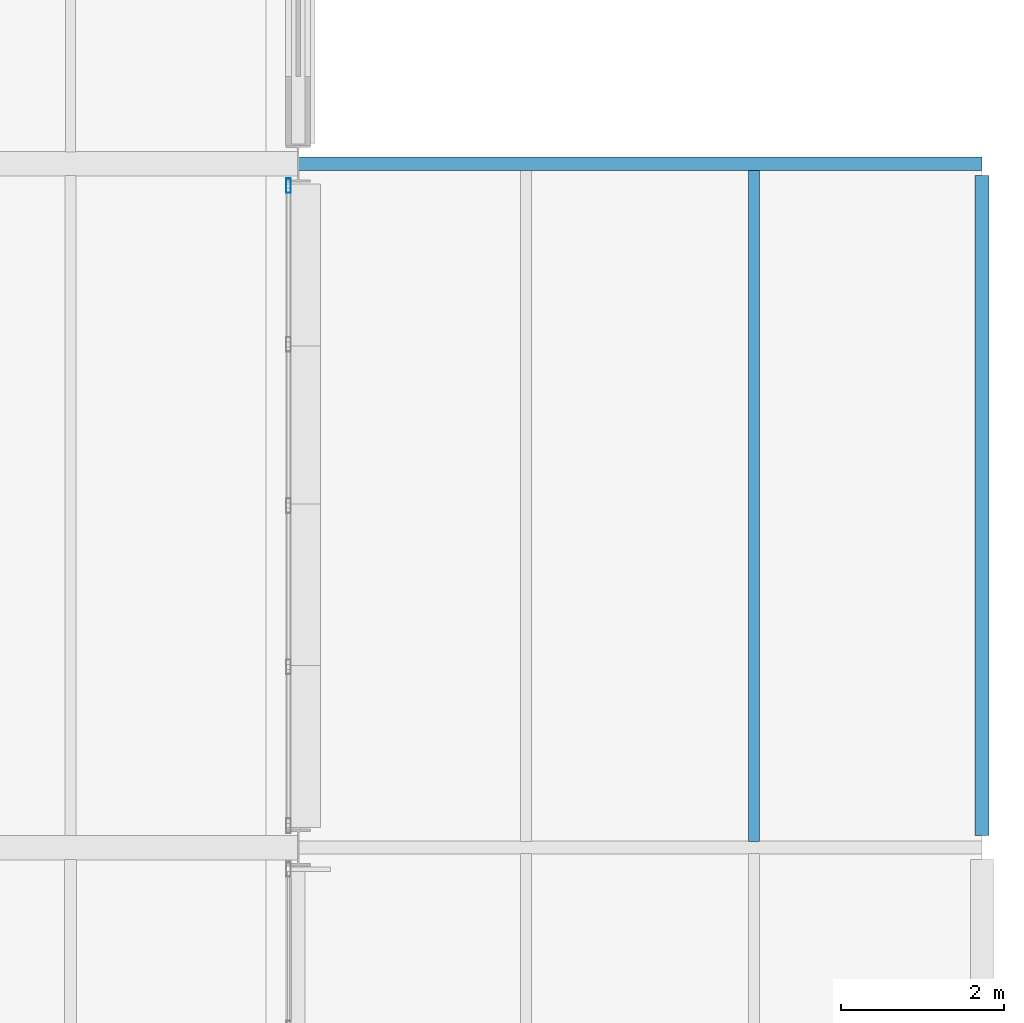
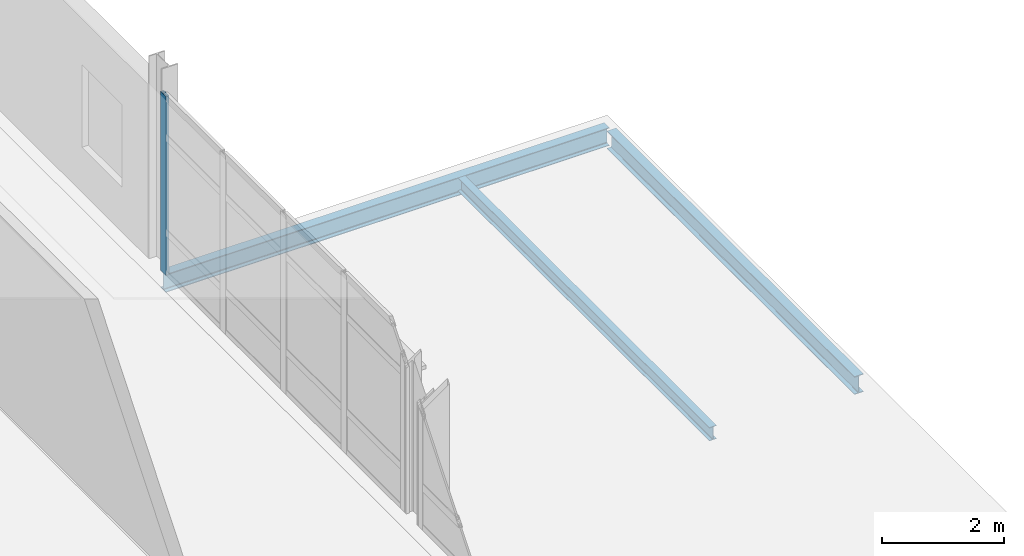
# One storey, part 99 of 151: 3 beams, 1 member, 1 element without a shape of its own.
"""IFC4 building model written with IfcOpenShell, lengths in metres."""

from ifc_helpers import new_model, si_unit, direction, frame, origin, origin_2d, place, context, subcontext, project, spatial, hollow_rectangle, i_section, extrude, material, material_profile, profile_set, type_object, element, aggregate, save


model = new_model("IFC4")

# Units and contexts
model_context = context("Model", 3, precision=1e-05, world=origin(), true_north=direction((0.0, 1.0)))
body_context = subcontext(model_context, "Body", "Model", "MODEL_VIEW")
ifc_project = project(units=[si_unit("LENGTHUNIT", "METRE"), si_unit("AREAUNIT", "SQUARE_METRE"), si_unit("VOLUMEUNIT", "CUBIC_METRE"), si_unit("PLANEANGLEUNIT", "RADIAN"), si_unit("MASSUNIT", "GRAM", prefix="KILO")], contexts=[model_context])

# Site, building, storey
site_placement = place(None, origin())
site = spatial("IfcSite", under=ifc_project, at=site_placement, CompositionType="ELEMENT")
building_placement = place(site_placement, origin())
building = spatial("IfcBuilding", under=site, at=building_placement, Name="Mersafa Astral City Hall", CompositionType="ELEMENT")
storey_placement = place(building_placement, frame((0.0, 0.0, 9.89990234375)))
storey = spatial("IfcBuildingStorey", under=building, at=storey_placement, Name="L02", CompositionType="ELEMENT", Elevation=9.89990234375)

# Curtain wall, member
ifc_material_1 = material(Name="Anodised bronze aluminium framing", Category="aluminium")
curtain_wall_type = type_object("IfcCurtainWallType", Name="ENV-CW-6", PredefinedType="USERDEFINED", material=ifc_material_1)
curtain_wall_placement = place(storey_placement, origin())
curtain_wall = element("IfcCurtainWall", 1, at=curtain_wall_placement, inside=storey, type_object=curtain_wall_type, Name="L02 Unitised solar curtain wall 125", ObjectType="UNITISED CURTAIN WALL", PredefinedType="USERDEFINED")
ifc_material_profile_1 = material_profile(ifc_material_1, hollow_rectangle(XDim=0.06005859375, YDim=0.179931640625, WallThickness=0.00390625, at=origin_2d()), Name="RHS 60x180x4")
ifc_profile_set_1 = profile_set([ifc_material_profile_1], Name="Anodised bronze aluminium framing")
member_type = type_object("IfcMemberType", Name="ENV-CW-MUL-1", PredefinedType="MULLION", material=ifc_profile_set_1)
member_placement = place(storey_placement, frame((176.280029296875, 92.133056640625, -0.001953125), z_axis=(0.0, 0.0, 1.0), x_axis=(-1.0, 0.0, 0.0)))
member = element("IfcMember", 2, at=member_placement, type_object=member_type, Name="CW-6 mullion 5", PredefinedType="MULLION", context=body_context, shape_type="SweptSolid", body=[
    extrude(hollow_rectangle(XDim=0.06005859375, YDim=0.179931640625, WallThickness=0.00390625, at=origin_2d()), origin(), (0.0, 0.0, 1.0), 3.5791015625),
])
aggregate(curtain_wall, [member])

# Beams
ifc_material_2 = material(Name="Steel S355", Category="steel")
ifc_material_profile_2 = material_profile(ifc_material_2, i_section(OverallWidth=0.135009765625, OverallDepth=0.27001953125, WebThickness=0.006591796875, FlangeThickness=0.01025390625, FilletRadius=0.014892578125, at=origin_2d()), Name="IPE 270")
ifc_profile_set_2 = profile_set([ifc_material_profile_2], Name="Steel S355")
beam_type_1 = type_object("IfcBeamType", Name="STR-BM-JOIST-IPE270", PredefinedType="JOIST", material=ifc_profile_set_2)
beam_1_placement = place(storey_placement, frame((182.0, 84.074951171875, -0.3349609375), z_axis=(0.0, 1.0, 0.0), x_axis=(-1.0, 0.0, 0.0)))
element("IfcBeam", 3, at=beam_1_placement, inside=storey, type_object=beam_type_1, Name="L02 Flat roof secondary joist 34", PredefinedType="JOIST", context=body_context, shape_type="SweptSolid", body=[
    extrude(i_section(OverallWidth=0.135009765625, OverallDepth=0.27001953125, WebThickness=0.006591796875, FlangeThickness=0.01025390625, FilletRadius=0.014892578125, at=origin_2d()), origin(), (0.0, 0.0, 1.0), 8.2451171875),
])
ifc_material_profile_3 = material_profile(ifc_material_2, i_section(OverallWidth=0.169921875, OverallDepth=0.360107421875, WebThickness=0.008056640625, FlangeThickness=0.0126953125, FilletRadius=0.01806640625, at=origin_2d()), Name="IPE 360")
ifc_profile_set_3 = profile_set([ifc_material_profile_3], Name="Steel S355")
beam_type_2 = type_object("IfcBeamType", Name="STR-BM-SPANDREL-IPE360", PredefinedType="SPANDREL", material=ifc_profile_set_3)
beam_2_placement = place(storey_placement, frame((176.403076171875, 92.39990234375, -0.3798828125), z_axis=(1.0, 0.0, 0.0), x_axis=(0.0, 1.0, 0.0)))
element("IfcBeam", 4, at=beam_2_placement, inside=storey, type_object=beam_type_2, Name="L02 Primary girder X 21-11", PredefinedType="SPANDREL", context=body_context, shape_type="SweptSolid", body=[
    extrude(i_section(OverallWidth=0.169921875, OverallDepth=0.360107421875, WebThickness=0.008056640625, FlangeThickness=0.0126953125, FilletRadius=0.01806640625, at=origin_2d()), origin(), (0.0, 0.0, 1.0), 8.39404296875),
])
beam_3_placement = place(storey_placement, frame((184.800048828125, 84.14501953125, -0.3798828125), z_axis=(0.0, 1.0, 0.0), x_axis=(-1.0, 0.0, 0.0)))
element("IfcBeam", 5, at=beam_3_placement, inside=storey, type_object=beam_type_2, Name="L02 Primary girder Y 22-10", PredefinedType="SPANDREL", context=body_context, shape_type="SweptSolid", body=[
    extrude(i_section(OverallWidth=0.169921875, OverallDepth=0.360107421875, WebThickness=0.008056640625, FlangeThickness=0.0126953125, FilletRadius=0.01806640625, at=origin_2d()), origin(), (0.0, 0.0, 1.0), 8.10986328125),
])

save(model, "model.ifc")
